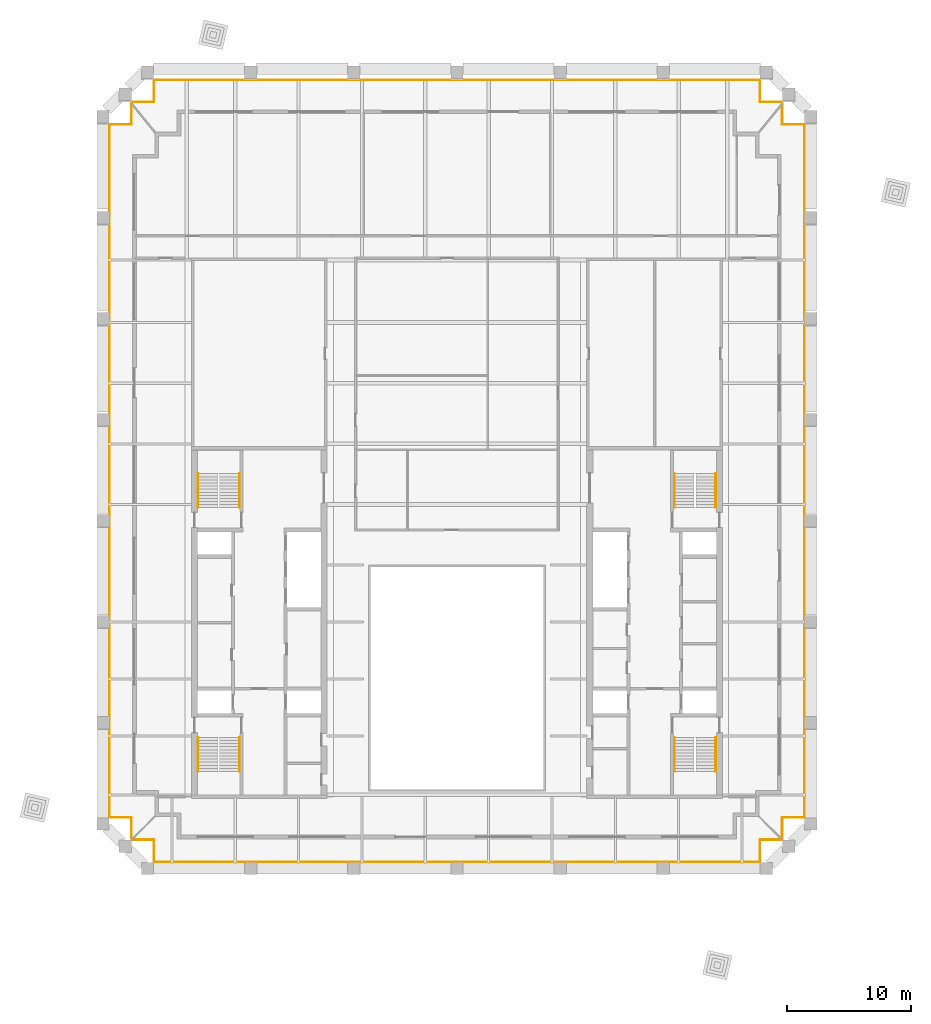
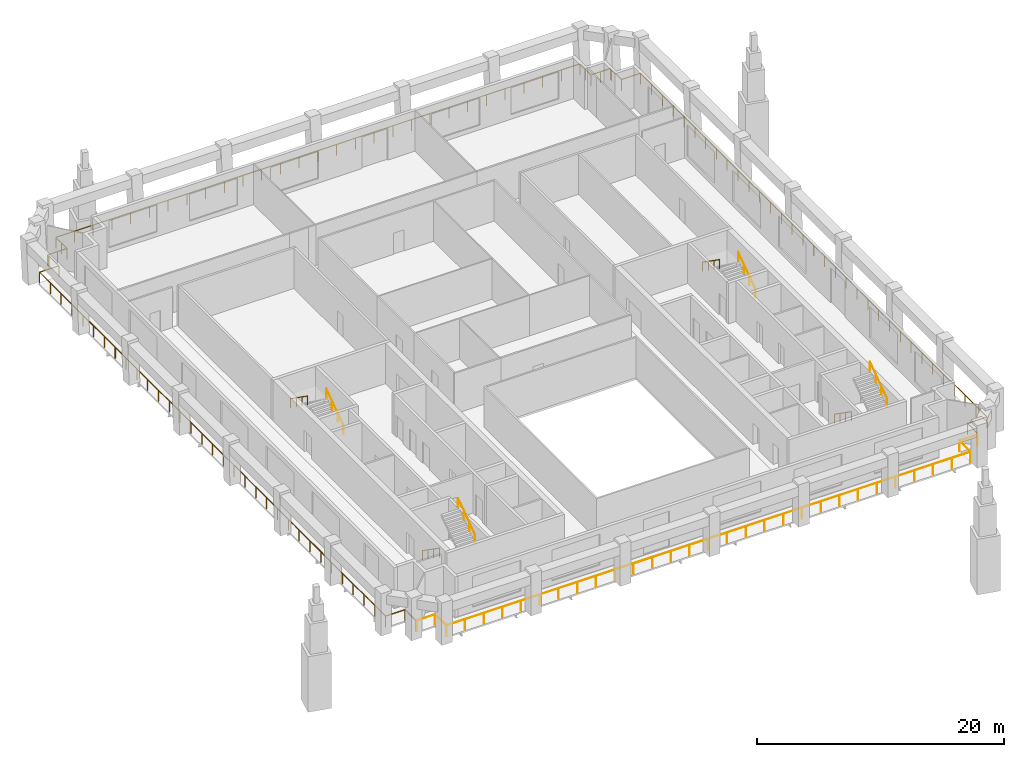
# One storey, part 8 of 8: 12 railings.
"""IFC4 building model written with IfcOpenShell, lengths in metres."""

from ifc_helpers import new_model, si_unit, direction, frame, origin, origin_2d, place, context, subcontext, project, spatial, circle, extrude, material, type_object, element, save


model = new_model("IFC4")

# Units and contexts
model_context = context("Model", 3, precision=1e-05, world=origin(), true_north=direction((0.0, 1.0)))
body_context = subcontext(model_context, "Body", "Model", "MODEL_VIEW")
ifc_project = project(units=[si_unit("LENGTHUNIT", "METRE"), si_unit("AREAUNIT", "SQUARE_METRE"), si_unit("VOLUMEUNIT", "CUBIC_METRE"), si_unit("PLANEANGLEUNIT", "RADIAN"), si_unit("MASSUNIT", "GRAM", prefix="KILO")], contexts=[model_context])

# Site, building, storey
site_placement = place(None, origin())
site = spatial("IfcSite", under=ifc_project, at=site_placement, CompositionType="ELEMENT")
building_placement = place(site_placement, origin())
building = spatial("IfcBuilding", under=site, at=building_placement, Name="Ogive Exchange Tower", CompositionType="ELEMENT")
storey_placement = place(building_placement, frame((0.0, 0.0, 309.0)))
storey = spatial("IfcBuildingStorey", under=building, at=storey_placement, Name="L67", CompositionType="ELEMENT", Elevation=309.0)

# Railings
ifc_material_1 = material(Name="Stainless steel 316", Category="steel")
railing_type_1 = type_object("IfcRailingType", Name="Guard 1100 stainless steel and glass", PredefinedType="GUARDRAIL", material=ifc_material_1)
railing_1_placement = place(storey_placement, frame((26.238037109375, -6.080078125, -0.050048828125)))
element("IfcRailing", 1, at=railing_1_placement, inside=storey, type_object=railing_type_1, Name="Loggia guard 1", PredefinedType="GUARDRAIL", context=body_context, shape_type="SweptSolid", body=[
    extrude(circle(Radius=0.02392578125, at=origin_2d()), frame((0.0, 0.0, 1.076171875), z_axis=(-1.0, 0.0, 0.0), x_axis=(0.0, -1.0, 0.0)), (0.0, 0.0, 1.0), 1.7080078125),
    extrude(circle(Radius=0.02392578125, at=origin_2d()), frame((-1.7080078125, 0.0, 1.076171875), z_axis=(0.0, -1.0, 0.0), x_axis=(1.0, 0.0, 0.0)), (0.0, 0.0, 1.0), 1.7998046875),
    extrude(circle(Radius=0.02392578125, at=origin_2d()), frame((-1.7080078125, -1.7998046875, 1.076171875), z_axis=(-1.0, 0.0, 0.0), x_axis=(0.0, -1.0, 0.0)), (0.0, 0.0, 1.0), 49.06005859375),
    extrude(circle(Radius=0.02392578125, at=origin_2d()), frame((-50.76806640625, -1.7998046875, 1.076171875), z_axis=(0.0, 1.0, 0.0), x_axis=(-1.0, 0.0, 0.0)), (0.0, 0.0, 1.0), 1.7998046875),
    extrude(circle(Radius=0.02392578125, at=origin_2d()), frame((-50.76806640625, 0.0, 1.076171875), z_axis=(-1.0, 0.0, 0.0), x_axis=(0.0, -1.0, 0.0)), (0.0, 0.0, 1.0), 1.7080078125),
    extrude(circle(Radius=0.02099609375, at=origin_2d()), origin(), (0.0, 0.0, 1.0), 1.052001953125),
    extrude(circle(Radius=0.02099609375, at=origin_2d()), frame((-1.7080078125, 0.0, 0.0)), (0.0, 0.0, 1.0), 1.052001953125),
    extrude(circle(Radius=0.02099609375, at=origin_2d()), frame((-1.7080078125, -1.7998046875, 0.0)), (0.0, 0.0, 1.0), 1.052001953125),
    extrude(circle(Radius=0.02099609375, at=origin_2d()), frame((-3.460205078125, -1.7998046875, 0.0)), (0.0, 0.0, 1.0), 1.052001953125),
    extrude(circle(Radius=0.02099609375, at=origin_2d()), frame((-5.21240234375, -1.7998046875, 0.0)), (0.0, 0.0, 1.0), 1.052001953125),
    extrude(circle(Radius=0.02099609375, at=origin_2d()), frame((-6.96435546875, -1.7998046875, 0.0)), (0.0, 0.0, 1.0), 1.052001953125),
    extrude(circle(Radius=0.02099609375, at=origin_2d()), frame((-8.716552734375, -1.7998046875, 0.0)), (0.0, 0.0, 1.0), 1.052001953125),
    extrude(circle(Radius=0.02099609375, at=origin_2d()), frame((-10.46875, -1.7998046875, 0.0)), (0.0, 0.0, 1.0), 1.052001953125),
    extrude(circle(Radius=0.02099609375, at=origin_2d()), frame((-12.220947265625, -1.7998046875, 0.0)), (0.0, 0.0, 1.0), 1.052001953125),
    extrude(circle(Radius=0.02099609375, at=origin_2d()), frame((-13.97314453125, -1.7998046875, 0.0)), (0.0, 0.0, 1.0), 1.052001953125),
    extrude(circle(Radius=0.02099609375, at=origin_2d()), frame((-15.72509765625, -1.7998046875, 0.0)), (0.0, 0.0, 1.0), 1.052001953125),
    extrude(circle(Radius=0.02099609375, at=origin_2d()), frame((-17.477294921875, -1.7998046875, 0.0)), (0.0, 0.0, 1.0), 1.052001953125),
    extrude(circle(Radius=0.02099609375, at=origin_2d()), frame((-19.2294921875, -1.7998046875, 0.0)), (0.0, 0.0, 1.0), 1.052001953125),
    extrude(circle(Radius=0.02099609375, at=origin_2d()), frame((-20.981689453125, -1.7998046875, 0.0)), (0.0, 0.0, 1.0), 1.052001953125),
    extrude(circle(Radius=0.02099609375, at=origin_2d()), frame((-22.733642578125, -1.7998046875, 0.0)), (0.0, 0.0, 1.0), 1.052001953125),
    extrude(circle(Radius=0.02099609375, at=origin_2d()), frame((-24.48583984375, -1.7998046875, 0.0)), (0.0, 0.0, 1.0), 1.052001953125),
    extrude(circle(Radius=0.02099609375, at=origin_2d()), frame((-26.238037109375, -1.7998046875, 0.0)), (0.0, 0.0, 1.0), 1.052001953125),
    extrude(circle(Radius=0.02099609375, at=origin_2d()), frame((-27.990234375, -1.7998046875, 0.0)), (0.0, 0.0, 1.0), 1.052001953125),
    extrude(circle(Radius=0.02099609375, at=origin_2d()), frame((-29.742431640625, -1.7998046875, 0.0)), (0.0, 0.0, 1.0), 1.052001953125),
    extrude(circle(Radius=0.02099609375, at=origin_2d()), frame((-31.494384765625, -1.7998046875, 0.0)), (0.0, 0.0, 1.0), 1.052001953125),
    extrude(circle(Radius=0.02099609375, at=origin_2d()), frame((-33.24658203125, -1.7998046875, 0.0)), (0.0, 0.0, 1.0), 1.052001953125),
    extrude(circle(Radius=0.02099609375, at=origin_2d()), frame((-34.998779296875, -1.7998046875, 0.0)), (0.0, 0.0, 1.0), 1.052001953125),
    extrude(circle(Radius=0.02099609375, at=origin_2d()), frame((-36.7509765625, -1.7998046875, 0.0)), (0.0, 0.0, 1.0), 1.052001953125),
    extrude(circle(Radius=0.02099609375, at=origin_2d()), frame((-38.5029296875, -1.7998046875, 0.0)), (0.0, 0.0, 1.0), 1.052001953125),
    extrude(circle(Radius=0.02099609375, at=origin_2d()), frame((-40.255126953125, -1.7998046875, 0.0)), (0.0, 0.0, 1.0), 1.052001953125),
    extrude(circle(Radius=0.02099609375, at=origin_2d()), frame((-42.00732421875, -1.7998046875, 0.0)), (0.0, 0.0, 1.0), 1.052001953125),
    extrude(circle(Radius=0.02099609375, at=origin_2d()), frame((-43.759521484375, -1.7998046875, 0.0)), (0.0, 0.0, 1.0), 1.052001953125),
    extrude(circle(Radius=0.02099609375, at=origin_2d()), frame((-45.51171875, -1.7998046875, 0.0)), (0.0, 0.0, 1.0), 1.052001953125),
    extrude(circle(Radius=0.02099609375, at=origin_2d()), frame((-47.263671875, -1.7998046875, 0.0)), (0.0, 0.0, 1.0), 1.052001953125),
    extrude(circle(Radius=0.02099609375, at=origin_2d()), frame((-49.015869140625, -1.7998046875, 0.0)), (0.0, 0.0, 1.0), 1.052001953125),
    extrude(circle(Radius=0.02099609375, at=origin_2d()), frame((-50.76806640625, -1.7998046875, 0.0)), (0.0, 0.0, 1.0), 1.052001953125),
    extrude(circle(Radius=0.02099609375, at=origin_2d()), frame((-50.76806640625, 0.0, 0.0)), (0.0, 0.0, 1.0), 1.052001953125),
    extrude(circle(Radius=0.02099609375, at=origin_2d()), frame((-52.47607421875, 0.0, 0.0)), (0.0, 0.0, 1.0), 1.052001953125),
])
railing_2_placement = place(storey_placement, frame((-26.330078125, -5.988037109375, -0.050048828125)))
element("IfcRailing", 2, at=railing_2_placement, inside=storey, type_object=railing_type_1, Name="Loggia guard 2", PredefinedType="GUARDRAIL", context=body_context, shape_type="SweptSolid", body=[
    extrude(circle(Radius=0.02392578125, at=origin_2d()), frame((0.0, 0.0, 1.076171875), z_axis=(0.0, 1.0, 0.0), x_axis=(-1.0, 0.0, 0.0)), (0.0, 0.0, 1.0), 1.7080078125),
    extrude(circle(Radius=0.02392578125, at=origin_2d()), frame((0.0, 1.7080078125, 1.076171875), z_axis=(-1.0, 0.0, 0.0), x_axis=(0.0, -1.0, 0.0)), (0.0, 0.0, 1.0), 1.7998046875),
    extrude(circle(Radius=0.02392578125, at=origin_2d()), frame((-1.7998046875, 1.7080078125, 1.076171875), z_axis=(0.0, 1.0, 0.0), x_axis=(-1.0, 0.0, 0.0)), (0.0, 0.0, 1.0), 56.10546875),
    extrude(circle(Radius=0.02392578125, at=origin_2d()), frame((-1.7998046875, 57.8134765625, 1.076171875), z_axis=(1.0, 0.0, 0.0), x_axis=(0.0, 1.0, 0.0)), (0.0, 0.0, 1.0), 1.7998046875),
    extrude(circle(Radius=0.02392578125, at=origin_2d()), frame((0.0, 57.8134765625, 1.076171875), z_axis=(0.0, 1.0, 0.0), x_axis=(-1.0, 0.0, 0.0)), (0.0, 0.0, 1.0), 1.578857421875),
    extrude(circle(Radius=0.02099609375, at=origin_2d()), origin(), (0.0, 0.0, 1.0), 1.052001953125),
    extrude(circle(Radius=0.02099609375, at=origin_2d()), frame((0.0, 1.7080078125, 0.0)), (0.0, 0.0, 1.0), 1.052001953125),
    extrude(circle(Radius=0.02099609375, at=origin_2d()), frame((-1.7998046875, 1.7080078125, 0.0)), (0.0, 0.0, 1.0), 1.052001953125),
    extrude(circle(Radius=0.02099609375, at=origin_2d()), frame((-1.7998046875, 3.46142578125, 0.0)), (0.0, 0.0, 1.0), 1.052001953125),
    extrude(circle(Radius=0.02099609375, at=origin_2d()), frame((-1.7998046875, 5.214599609375, 0.0)), (0.0, 0.0, 1.0), 1.052001953125),
    extrude(circle(Radius=0.02099609375, at=origin_2d()), frame((-1.7998046875, 6.9677734375, 0.0)), (0.0, 0.0, 1.0), 1.052001953125),
    extrude(circle(Radius=0.02099609375, at=origin_2d()), frame((-1.7998046875, 8.72119140625, 0.0)), (0.0, 0.0, 1.0), 1.052001953125),
    extrude(circle(Radius=0.02099609375, at=origin_2d()), frame((-1.7998046875, 10.474609375, 0.0)), (0.0, 0.0, 1.0), 1.052001953125),
    extrude(circle(Radius=0.02099609375, at=origin_2d()), frame((-1.7998046875, 12.227783203125, 0.0)), (0.0, 0.0, 1.0), 1.052001953125),
    extrude(circle(Radius=0.02099609375, at=origin_2d()), frame((-1.7998046875, 13.98095703125, 0.0)), (0.0, 0.0, 1.0), 1.052001953125),
    extrude(circle(Radius=0.02099609375, at=origin_2d()), frame((-1.7998046875, 15.734375, 0.0)), (0.0, 0.0, 1.0), 1.052001953125),
    extrude(circle(Radius=0.02099609375, at=origin_2d()), frame((-1.7998046875, 17.48779296875, 0.0)), (0.0, 0.0, 1.0), 1.052001953125),
    extrude(circle(Radius=0.02099609375, at=origin_2d()), frame((-1.7998046875, 19.240966796875, 0.0)), (0.0, 0.0, 1.0), 1.052001953125),
    extrude(circle(Radius=0.02099609375, at=origin_2d()), frame((-1.7998046875, 20.994140625, 0.0)), (0.0, 0.0, 1.0), 1.052001953125),
    extrude(circle(Radius=0.02099609375, at=origin_2d()), frame((-1.7998046875, 22.74755859375, 0.0)), (0.0, 0.0, 1.0), 1.052001953125),
    extrude(circle(Radius=0.02099609375, at=origin_2d()), frame((-1.7998046875, 24.5009765625, 0.0)), (0.0, 0.0, 1.0), 1.052001953125),
    extrude(circle(Radius=0.02099609375, at=origin_2d()), frame((-1.7998046875, 26.254150390625, 0.0)), (0.0, 0.0, 1.0), 1.052001953125),
    extrude(circle(Radius=0.02099609375, at=origin_2d()), frame((-1.7998046875, 28.00732421875, 0.0)), (0.0, 0.0, 1.0), 1.052001953125),
    extrude(circle(Radius=0.02099609375, at=origin_2d()), frame((-1.7998046875, 29.7607421875, 0.0)), (0.0, 0.0, 1.0), 1.052001953125),
    extrude(circle(Radius=0.02099609375, at=origin_2d()), frame((-1.7998046875, 31.51416015625, 0.0)), (0.0, 0.0, 1.0), 1.052001953125),
    extrude(circle(Radius=0.02099609375, at=origin_2d()), frame((-1.7998046875, 33.267333984375, 0.0)), (0.0, 0.0, 1.0), 1.052001953125),
    extrude(circle(Radius=0.02099609375, at=origin_2d()), frame((-1.7998046875, 35.0205078125, 0.0)), (0.0, 0.0, 1.0), 1.052001953125),
    extrude(circle(Radius=0.02099609375, at=origin_2d()), frame((-1.7998046875, 36.77392578125, 0.0)), (0.0, 0.0, 1.0), 1.052001953125),
    extrude(circle(Radius=0.02099609375, at=origin_2d()), frame((-1.7998046875, 38.52734375, 0.0)), (0.0, 0.0, 1.0), 1.052001953125),
    extrude(circle(Radius=0.02099609375, at=origin_2d()), frame((-1.7998046875, 40.280517578125, 0.0)), (0.0, 0.0, 1.0), 1.052001953125),
    extrude(circle(Radius=0.02099609375, at=origin_2d()), frame((-1.7998046875, 42.03369140625, 0.0)), (0.0, 0.0, 1.0), 1.052001953125),
    extrude(circle(Radius=0.02099609375, at=origin_2d()), frame((-1.7998046875, 43.787109375, 0.0)), (0.0, 0.0, 1.0), 1.052001953125),
    extrude(circle(Radius=0.02099609375, at=origin_2d()), frame((-1.7998046875, 45.54052734375, 0.0)), (0.0, 0.0, 1.0), 1.052001953125),
    extrude(circle(Radius=0.02099609375, at=origin_2d()), frame((-1.7998046875, 47.293701171875, 0.0)), (0.0, 0.0, 1.0), 1.052001953125),
    extrude(circle(Radius=0.02099609375, at=origin_2d()), frame((-1.7998046875, 49.046875, 0.0)), (0.0, 0.0, 1.0), 1.052001953125),
    extrude(circle(Radius=0.02099609375, at=origin_2d()), frame((-1.7998046875, 50.80029296875, 0.0)), (0.0, 0.0, 1.0), 1.052001953125),
    extrude(circle(Radius=0.02099609375, at=origin_2d()), frame((-1.7998046875, 52.5537109375, 0.0)), (0.0, 0.0, 1.0), 1.052001953125),
    extrude(circle(Radius=0.02099609375, at=origin_2d()), frame((-1.7998046875, 54.306884765625, 0.0)), (0.0, 0.0, 1.0), 1.052001953125),
    extrude(circle(Radius=0.02099609375, at=origin_2d()), frame((-1.7998046875, 56.06005859375, 0.0)), (0.0, 0.0, 1.0), 1.052001953125),
    extrude(circle(Radius=0.02099609375, at=origin_2d()), frame((-1.7998046875, 57.8134765625, 0.0)), (0.0, 0.0, 1.0), 1.052001953125),
    extrude(circle(Radius=0.02099609375, at=origin_2d()), frame((0.0, 57.8134765625, 0.0)), (0.0, 0.0, 1.0), 1.052001953125),
    extrude(circle(Radius=0.02099609375, at=origin_2d()), frame((0.0, 59.392333984375, 0.0)), (0.0, 0.0, 1.0), 1.052001953125),
])
railing_3_placement = place(storey_placement, frame((-26.330078125, 53.610107421875, -0.050048828125)))
element("IfcRailing", 3, at=railing_3_placement, inside=storey, type_object=railing_type_1, Name="Loggia guard 3", PredefinedType="GUARDRAIL", context=body_context, shape_type="SweptSolid", body=[
    extrude(circle(Radius=0.02392578125, at=origin_2d()), frame((0.0, 0.0, 1.076171875), z_axis=(0.0, 1.0, 0.0), x_axis=(-1.0, 0.0, 0.0)), (0.0, 0.0, 1.0), 0.015380859375),
    extrude(circle(Radius=0.02392578125, at=origin_2d()), frame((0.0, 0.015380859375, 1.076171875), z_axis=(1.0, 0.0, 0.0), x_axis=(0.0, 1.0, 0.0)), (0.0, 0.0, 1.0), 1.800048828125),
    extrude(circle(Radius=0.02392578125, at=origin_2d()), frame((1.800048828125, 0.015380859375, 1.076171875), z_axis=(0.0, 1.0, 0.0), x_axis=(-1.0, 0.0, 0.0)), (0.0, 0.0, 1.0), 1.800048828125),
    extrude(circle(Radius=0.02392578125, at=origin_2d()), frame((1.800048828125, 1.8154296875, 1.076171875), z_axis=(1.0, 0.0, 0.0), x_axis=(0.0, 1.0, 0.0)), (0.0, 0.0, 1.0), 49.06005859375),
    extrude(circle(Radius=0.02392578125, at=origin_2d()), frame((50.860107421875, 1.8154296875, 1.076171875), z_axis=(0.0, -1.0, 0.0), x_axis=(1.0, 0.0, 0.0)), (0.0, 0.0, 1.0), 1.800048828125),
    extrude(circle(Radius=0.02392578125, at=origin_2d()), frame((50.860107421875, 0.015380859375, 1.076171875), z_axis=(1.0, 0.0, 0.0), x_axis=(0.0, 1.0, 0.0)), (0.0, 0.0, 1.0), 1.800048828125),
    extrude(circle(Radius=0.02392578125, at=origin_2d()), frame((52.66015625, 0.015380859375, 1.076171875), z_axis=(0.0, -1.0, 0.0), x_axis=(1.0, 0.0, 0.0)), (0.0, 0.0, 1.0), 0.015380859375),
    extrude(circle(Radius=0.02099609375, at=origin_2d()), origin(), (0.0, 0.0, 1.0), 1.052001953125),
    extrude(circle(Radius=0.02099609375, at=origin_2d()), frame((0.0, 0.015380859375, 0.0)), (0.0, 0.0, 1.0), 1.052001953125),
    extrude(circle(Radius=0.02099609375, at=origin_2d()), frame((0.89990234375, 0.015380859375, 0.0)), (0.0, 0.0, 1.0), 1.052001953125),
    extrude(circle(Radius=0.02099609375, at=origin_2d()), frame((1.800048828125, 0.015380859375, 0.0)), (0.0, 0.0, 1.0), 1.052001953125),
    extrude(circle(Radius=0.02099609375, at=origin_2d()), frame((1.800048828125, 0.91552734375, 0.0)), (0.0, 0.0, 1.0), 1.052001953125),
    extrude(circle(Radius=0.02099609375, at=origin_2d()), frame((1.800048828125, 1.8154296875, 0.0)), (0.0, 0.0, 1.0), 1.052001953125),
    extrude(circle(Radius=0.02099609375, at=origin_2d()), frame((3.55224609375, 1.8154296875, 0.0)), (0.0, 0.0, 1.0), 1.052001953125),
    extrude(circle(Radius=0.02099609375, at=origin_2d()), frame((5.304443359375, 1.8154296875, 0.0)), (0.0, 0.0, 1.0), 1.052001953125),
    extrude(circle(Radius=0.02099609375, at=origin_2d()), frame((7.056396484375, 1.8154296875, 0.0)), (0.0, 0.0, 1.0), 1.052001953125),
    extrude(circle(Radius=0.02099609375, at=origin_2d()), frame((8.80859375, 1.8154296875, 0.0)), (0.0, 0.0, 1.0), 1.052001953125),
    extrude(circle(Radius=0.02099609375, at=origin_2d()), frame((10.560791015625, 1.8154296875, 0.0)), (0.0, 0.0, 1.0), 1.052001953125),
    extrude(circle(Radius=0.02099609375, at=origin_2d()), frame((12.31298828125, 1.8154296875, 0.0)), (0.0, 0.0, 1.0), 1.052001953125),
    extrude(circle(Radius=0.02099609375, at=origin_2d()), frame((14.06494140625, 1.8154296875, 0.0)), (0.0, 0.0, 1.0), 1.052001953125),
    extrude(circle(Radius=0.02099609375, at=origin_2d()), frame((15.817138671875, 1.8154296875, 0.0)), (0.0, 0.0, 1.0), 1.052001953125),
    extrude(circle(Radius=0.02099609375, at=origin_2d()), frame((17.5693359375, 1.8154296875, 0.0)), (0.0, 0.0, 1.0), 1.052001953125),
    extrude(circle(Radius=0.02099609375, at=origin_2d()), frame((19.321533203125, 1.8154296875, 0.0)), (0.0, 0.0, 1.0), 1.052001953125),
    extrude(circle(Radius=0.02099609375, at=origin_2d()), frame((21.07373046875, 1.8154296875, 0.0)), (0.0, 0.0, 1.0), 1.052001953125),
    extrude(circle(Radius=0.02099609375, at=origin_2d()), frame((22.82568359375, 1.8154296875, 0.0)), (0.0, 0.0, 1.0), 1.052001953125),
    extrude(circle(Radius=0.02099609375, at=origin_2d()), frame((24.577880859375, 1.8154296875, 0.0)), (0.0, 0.0, 1.0), 1.052001953125),
    extrude(circle(Radius=0.02099609375, at=origin_2d()), frame((26.330078125, 1.8154296875, 0.0)), (0.0, 0.0, 1.0), 1.052001953125),
    extrude(circle(Radius=0.02099609375, at=origin_2d()), frame((28.082275390625, 1.8154296875, 0.0)), (0.0, 0.0, 1.0), 1.052001953125),
    extrude(circle(Radius=0.02099609375, at=origin_2d()), frame((29.83447265625, 1.8154296875, 0.0)), (0.0, 0.0, 1.0), 1.052001953125),
    extrude(circle(Radius=0.02099609375, at=origin_2d()), frame((31.58642578125, 1.8154296875, 0.0)), (0.0, 0.0, 1.0), 1.052001953125),
    extrude(circle(Radius=0.02099609375, at=origin_2d()), frame((33.338623046875, 1.8154296875, 0.0)), (0.0, 0.0, 1.0), 1.052001953125),
    extrude(circle(Radius=0.02099609375, at=origin_2d()), frame((35.0908203125, 1.8154296875, 0.0)), (0.0, 0.0, 1.0), 1.052001953125),
    extrude(circle(Radius=0.02099609375, at=origin_2d()), frame((36.843017578125, 1.8154296875, 0.0)), (0.0, 0.0, 1.0), 1.052001953125),
    extrude(circle(Radius=0.02099609375, at=origin_2d()), frame((38.59521484375, 1.8154296875, 0.0)), (0.0, 0.0, 1.0), 1.052001953125),
    extrude(circle(Radius=0.02099609375, at=origin_2d()), frame((40.34716796875, 1.8154296875, 0.0)), (0.0, 0.0, 1.0), 1.052001953125),
    extrude(circle(Radius=0.02099609375, at=origin_2d()), frame((42.099365234375, 1.8154296875, 0.0)), (0.0, 0.0, 1.0), 1.052001953125),
    extrude(circle(Radius=0.02099609375, at=origin_2d()), frame((43.8515625, 1.8154296875, 0.0)), (0.0, 0.0, 1.0), 1.052001953125),
    extrude(circle(Radius=0.02099609375, at=origin_2d()), frame((45.603759765625, 1.8154296875, 0.0)), (0.0, 0.0, 1.0), 1.052001953125),
    extrude(circle(Radius=0.02099609375, at=origin_2d()), frame((47.355712890625, 1.8154296875, 0.0)), (0.0, 0.0, 1.0), 1.052001953125),
    extrude(circle(Radius=0.02099609375, at=origin_2d()), frame((49.10791015625, 1.8154296875, 0.0)), (0.0, 0.0, 1.0), 1.052001953125),
    extrude(circle(Radius=0.02099609375, at=origin_2d()), frame((50.860107421875, 1.8154296875, 0.0)), (0.0, 0.0, 1.0), 1.052001953125),
    extrude(circle(Radius=0.02099609375, at=origin_2d()), frame((50.860107421875, 0.91552734375, 0.0)), (0.0, 0.0, 1.0), 1.052001953125),
    extrude(circle(Radius=0.02099609375, at=origin_2d()), frame((50.860107421875, 0.015380859375, 0.0)), (0.0, 0.0, 1.0), 1.052001953125),
    extrude(circle(Radius=0.02099609375, at=origin_2d()), frame((51.76025390625, 0.015380859375, 0.0)), (0.0, 0.0, 1.0), 1.052001953125),
    extrude(circle(Radius=0.02099609375, at=origin_2d()), frame((52.66015625, 0.015380859375, 0.0)), (0.0, 0.0, 1.0), 1.052001953125),
    extrude(circle(Radius=0.02099609375, at=origin_2d()), frame((52.66015625, 0.0, 0.0)), (0.0, 0.0, 1.0), 1.052001953125),
])
railing_4_placement = place(storey_placement, frame((26.330078125, 53.404296875, -0.050048828125)))
element("IfcRailing", 4, at=railing_4_placement, inside=storey, type_object=railing_type_1, Name="Loggia guard 4", PredefinedType="GUARDRAIL", context=body_context, shape_type="SweptSolid", body=[
    extrude(circle(Radius=0.02392578125, at=origin_2d()), frame((0.0, 0.0, 1.076171875), z_axis=(0.0, -1.0, 0.0), x_axis=(1.0, 0.0, 0.0)), (0.0, 0.0, 1.0), 1.578857421875),
    extrude(circle(Radius=0.02392578125, at=origin_2d()), frame((0.0, -1.578857421875, 1.076171875), z_axis=(1.0, 0.0, 0.0), x_axis=(0.0, 1.0, 0.0)), (0.0, 0.0, 1.0), 1.7998046875),
    extrude(circle(Radius=0.02392578125, at=origin_2d()), frame((1.7998046875, -1.578857421875, 1.076171875), z_axis=(0.0, -1.0, 0.0), x_axis=(1.0, 0.0, 0.0)), (0.0, 0.0, 1.0), 56.10546875),
    extrude(circle(Radius=0.02392578125, at=origin_2d()), frame((1.7998046875, -57.684326171875, 1.076171875), z_axis=(-1.0, 0.0, 0.0), x_axis=(0.0, -1.0, 0.0)), (0.0, 0.0, 1.0), 1.7998046875),
    extrude(circle(Radius=0.02392578125, at=origin_2d()), frame((0.0, -57.684326171875, 1.076171875), z_axis=(0.0, -1.0, 0.0), x_axis=(1.0, 0.0, 0.0)), (0.0, 0.0, 1.0), 1.7080078125),
    extrude(circle(Radius=0.02099609375, at=origin_2d()), origin(), (0.0, 0.0, 1.0), 1.052001953125),
    extrude(circle(Radius=0.02099609375, at=origin_2d()), frame((0.0, -1.578857421875, 0.0)), (0.0, 0.0, 1.0), 1.052001953125),
    extrude(circle(Radius=0.02099609375, at=origin_2d()), frame((1.7998046875, -1.578857421875, 0.0)), (0.0, 0.0, 1.0), 1.052001953125),
    extrude(circle(Radius=0.02099609375, at=origin_2d()), frame((1.7998046875, -3.33203125, 0.0)), (0.0, 0.0, 1.0), 1.052001953125),
    extrude(circle(Radius=0.02099609375, at=origin_2d()), frame((1.7998046875, -5.08544921875, 0.0)), (0.0, 0.0, 1.0), 1.052001953125),
    extrude(circle(Radius=0.02099609375, at=origin_2d()), frame((1.7998046875, -6.8388671875, 0.0)), (0.0, 0.0, 1.0), 1.052001953125),
    extrude(circle(Radius=0.02099609375, at=origin_2d()), frame((1.7998046875, -8.592041015625, 0.0)), (0.0, 0.0, 1.0), 1.052001953125),
    extrude(circle(Radius=0.02099609375, at=origin_2d()), frame((1.7998046875, -10.34521484375, 0.0)), (0.0, 0.0, 1.0), 1.052001953125),
    extrude(circle(Radius=0.02099609375, at=origin_2d()), frame((1.7998046875, -12.0986328125, 0.0)), (0.0, 0.0, 1.0), 1.052001953125),
    extrude(circle(Radius=0.02099609375, at=origin_2d()), frame((1.7998046875, -13.85205078125, 0.0)), (0.0, 0.0, 1.0), 1.052001953125),
    extrude(circle(Radius=0.02099609375, at=origin_2d()), frame((1.7998046875, -15.605224609375, 0.0)), (0.0, 0.0, 1.0), 1.052001953125),
    extrude(circle(Radius=0.02099609375, at=origin_2d()), frame((1.7998046875, -17.3583984375, 0.0)), (0.0, 0.0, 1.0), 1.052001953125),
    extrude(circle(Radius=0.02099609375, at=origin_2d()), frame((1.7998046875, -19.11181640625, 0.0)), (0.0, 0.0, 1.0), 1.052001953125),
    extrude(circle(Radius=0.02099609375, at=origin_2d()), frame((1.7998046875, -20.865234375, 0.0)), (0.0, 0.0, 1.0), 1.052001953125),
    extrude(circle(Radius=0.02099609375, at=origin_2d()), frame((1.7998046875, -22.618408203125, 0.0)), (0.0, 0.0, 1.0), 1.052001953125),
    extrude(circle(Radius=0.02099609375, at=origin_2d()), frame((1.7998046875, -24.37158203125, 0.0)), (0.0, 0.0, 1.0), 1.052001953125),
    extrude(circle(Radius=0.02099609375, at=origin_2d()), frame((1.7998046875, -26.125, 0.0)), (0.0, 0.0, 1.0), 1.052001953125),
    extrude(circle(Radius=0.02099609375, at=origin_2d()), frame((1.7998046875, -27.87841796875, 0.0)), (0.0, 0.0, 1.0), 1.052001953125),
    extrude(circle(Radius=0.02099609375, at=origin_2d()), frame((1.7998046875, -29.631591796875, 0.0)), (0.0, 0.0, 1.0), 1.052001953125),
    extrude(circle(Radius=0.02099609375, at=origin_2d()), frame((1.7998046875, -31.384765625, 0.0)), (0.0, 0.0, 1.0), 1.052001953125),
    extrude(circle(Radius=0.02099609375, at=origin_2d()), frame((1.7998046875, -33.13818359375, 0.0)), (0.0, 0.0, 1.0), 1.052001953125),
    extrude(circle(Radius=0.02099609375, at=origin_2d()), frame((1.7998046875, -34.8916015625, 0.0)), (0.0, 0.0, 1.0), 1.052001953125),
    extrude(circle(Radius=0.02099609375, at=origin_2d()), frame((1.7998046875, -36.644775390625, 0.0)), (0.0, 0.0, 1.0), 1.052001953125),
    extrude(circle(Radius=0.02099609375, at=origin_2d()), frame((1.7998046875, -38.39794921875, 0.0)), (0.0, 0.0, 1.0), 1.052001953125),
    extrude(circle(Radius=0.02099609375, at=origin_2d()), frame((1.7998046875, -40.1513671875, 0.0)), (0.0, 0.0, 1.0), 1.052001953125),
    extrude(circle(Radius=0.02099609375, at=origin_2d()), frame((1.7998046875, -41.90478515625, 0.0)), (0.0, 0.0, 1.0), 1.052001953125),
    extrude(circle(Radius=0.02099609375, at=origin_2d()), frame((1.7998046875, -43.657958984375, 0.0)), (0.0, 0.0, 1.0), 1.052001953125),
    extrude(circle(Radius=0.02099609375, at=origin_2d()), frame((1.7998046875, -45.4111328125, 0.0)), (0.0, 0.0, 1.0), 1.052001953125),
    extrude(circle(Radius=0.02099609375, at=origin_2d()), frame((1.7998046875, -47.16455078125, 0.0)), (0.0, 0.0, 1.0), 1.052001953125),
    extrude(circle(Radius=0.02099609375, at=origin_2d()), frame((1.7998046875, -48.91796875, 0.0)), (0.0, 0.0, 1.0), 1.052001953125),
    extrude(circle(Radius=0.02099609375, at=origin_2d()), frame((1.7998046875, -50.671142578125, 0.0)), (0.0, 0.0, 1.0), 1.052001953125),
    extrude(circle(Radius=0.02099609375, at=origin_2d()), frame((1.7998046875, -52.42431640625, 0.0)), (0.0, 0.0, 1.0), 1.052001953125),
    extrude(circle(Radius=0.02099609375, at=origin_2d()), frame((1.7998046875, -54.177734375, 0.0)), (0.0, 0.0, 1.0), 1.052001953125),
    extrude(circle(Radius=0.02099609375, at=origin_2d()), frame((1.7998046875, -55.93115234375, 0.0)), (0.0, 0.0, 1.0), 1.052001953125),
    extrude(circle(Radius=0.02099609375, at=origin_2d()), frame((1.7998046875, -57.684326171875, 0.0)), (0.0, 0.0, 1.0), 1.052001953125),
    extrude(circle(Radius=0.02099609375, at=origin_2d()), frame((0.0, -57.684326171875, 0.0)), (0.0, 0.0, 1.0), 1.052001953125),
    extrude(circle(Radius=0.02099609375, at=origin_2d()), frame((0.0, -59.392333984375, 0.0)), (0.0, 0.0, 1.0), 1.052001953125),
])
ifc_material_2 = material(Name="Stainless steel", Category="steel")
railing_type_2 = type_object("IfcRailingType", Name="Stair handrail 900", PredefinedType="HANDRAIL", material=ifc_material_2)
railing_5_placement = place(storey_placement, frame((-20.949951171875, 2.199951171875, 0.175048828125)))
element("IfcRailing", 5, at=railing_5_placement, inside=storey, type_object=railing_type_2, Name="L67 ST1 stair handrail 1", PredefinedType="HANDRAIL", context=body_context, shape_type="SweptSolid", body=[
    extrude(circle(Radius=0.02392578125, at=origin_2d()), frame((0.0, 0.0, 0.8759765625), z_axis=(0.0, -0.819225086817, 0.573472106672), x_axis=(1.0, 0.0, 0.0)), (0.0, 0.0, 1.0), 3.35693359375),
    extrude(circle(Radius=0.02099609375, at=origin_2d()), origin(), (0.0, 0.0, 1.0), 0.851806640625),
    extrude(circle(Radius=0.02099609375, at=origin_2d()), frame((0.0, -0.916748046875, 0.6416015625)), (0.0, 0.0, 1.0), 0.851806640625),
    extrude(circle(Radius=0.02099609375, at=origin_2d()), frame((0.0, -1.833251953125, 1.283447265625)), (0.0, 0.0, 1.0), 0.851806640625),
    extrude(circle(Radius=0.02099609375, at=origin_2d()), frame((0.0, -2.75, 1.925048828125)), (0.0, 0.0, 1.0), 0.851806640625),
])
for number, where, name in (
    (6, (-17.60009765625, -0.550048828125, 2.27490234375), "L67 ST1 stair handrail 2"),
    (7, (-17.60009765625, 20.800048828125, 0.175048828125), "L67 ST2 stair handrail 1"),
):
    element("IfcRailing", number, at=place(storey_placement, frame(where)), inside=storey, type_object=railing_type_2, Name=name, PredefinedType="HANDRAIL", context=body_context, shape_type="SweptSolid", body=[
        extrude(circle(Radius=0.02392578125, at=origin_2d()), frame((0.0, 0.0, 0.8759765625), z_axis=(0.0, 0.819225086817, 0.573472106672), x_axis=(-1.0, 0.0, 0.0)), (0.0, 0.0, 1.0), 3.35693359375),
        extrude(circle(Radius=0.02099609375, at=origin_2d()), origin(), (0.0, 0.0, 1.0), 0.851806640625),
        extrude(circle(Radius=0.02099609375, at=origin_2d()), frame((0.0, 0.916748046875, 0.6416015625)), (0.0, 0.0, 1.0), 0.851806640625),
        extrude(circle(Radius=0.02099609375, at=origin_2d()), frame((0.0, 1.833251953125, 1.283447265625)), (0.0, 0.0, 1.0), 0.851806640625),
        extrude(circle(Radius=0.02099609375, at=origin_2d()), frame((0.0, 2.75, 1.925048828125)), (0.0, 0.0, 1.0), 0.851806640625),
    ])
for number, where, name in (
    (8, (-20.949951171875, 23.550048828125, 2.27490234375), "L67 ST2 stair handrail 2"),
    (9, (17.60009765625, 2.199951171875, 0.175048828125), "L67 ST3 stair handrail 1"),
):
    element("IfcRailing", number, at=place(storey_placement, frame(where)), inside=storey, type_object=railing_type_2, Name=name, PredefinedType="HANDRAIL", context=body_context, shape_type="SweptSolid", body=[
        extrude(circle(Radius=0.02392578125, at=origin_2d()), frame((0.0, 0.0, 0.8759765625), z_axis=(0.0, -0.819225086817, 0.573472106672), x_axis=(1.0, 0.0, 0.0)), (0.0, 0.0, 1.0), 3.35693359375),
        extrude(circle(Radius=0.02099609375, at=origin_2d()), origin(), (0.0, 0.0, 1.0), 0.851806640625),
        extrude(circle(Radius=0.02099609375, at=origin_2d()), frame((0.0, -0.916748046875, 0.6416015625)), (0.0, 0.0, 1.0), 0.851806640625),
        extrude(circle(Radius=0.02099609375, at=origin_2d()), frame((0.0, -1.833251953125, 1.283447265625)), (0.0, 0.0, 1.0), 0.851806640625),
        extrude(circle(Radius=0.02099609375, at=origin_2d()), frame((0.0, -2.75, 1.925048828125)), (0.0, 0.0, 1.0), 0.851806640625),
    ])
for number, where, name in (
    (10, (20.949951171875, -0.550048828125, 2.27490234375), "L67 ST3 stair handrail 2"),
    (11, (20.949951171875, 20.800048828125, 0.175048828125), "L67 ST4 stair handrail 1"),
):
    element("IfcRailing", number, at=place(storey_placement, frame(where)), inside=storey, type_object=railing_type_2, Name=name, PredefinedType="HANDRAIL", context=body_context, shape_type="SweptSolid", body=[
        extrude(circle(Radius=0.02392578125, at=origin_2d()), frame((0.0, 0.0, 0.8759765625), z_axis=(0.0, 0.819225086817, 0.573472106672), x_axis=(-1.0, 0.0, 0.0)), (0.0, 0.0, 1.0), 3.35693359375),
        extrude(circle(Radius=0.02099609375, at=origin_2d()), origin(), (0.0, 0.0, 1.0), 0.851806640625),
        extrude(circle(Radius=0.02099609375, at=origin_2d()), frame((0.0, 0.916748046875, 0.6416015625)), (0.0, 0.0, 1.0), 0.851806640625),
        extrude(circle(Radius=0.02099609375, at=origin_2d()), frame((0.0, 1.833251953125, 1.283447265625)), (0.0, 0.0, 1.0), 0.851806640625),
        extrude(circle(Radius=0.02099609375, at=origin_2d()), frame((0.0, 2.75, 1.925048828125)), (0.0, 0.0, 1.0), 0.851806640625),
    ])
railing_6_placement = place(storey_placement, frame((17.60009765625, 23.550048828125, 2.27490234375)))
element("IfcRailing", 12, at=railing_6_placement, inside=storey, type_object=railing_type_2, Name="L67 ST4 stair handrail 2", PredefinedType="HANDRAIL", context=body_context, shape_type="SweptSolid", body=[
    extrude(circle(Radius=0.02392578125, at=origin_2d()), frame((0.0, 0.0, 0.8759765625), z_axis=(0.0, -0.819225086817, 0.573472106672), x_axis=(1.0, 0.0, 0.0)), (0.0, 0.0, 1.0), 3.35693359375),
    extrude(circle(Radius=0.02099609375, at=origin_2d()), origin(), (0.0, 0.0, 1.0), 0.851806640625),
    extrude(circle(Radius=0.02099609375, at=origin_2d()), frame((0.0, -0.916748046875, 0.6416015625)), (0.0, 0.0, 1.0), 0.851806640625),
    extrude(circle(Radius=0.02099609375, at=origin_2d()), frame((0.0, -1.833251953125, 1.283447265625)), (0.0, 0.0, 1.0), 0.851806640625),
    extrude(circle(Radius=0.02099609375, at=origin_2d()), frame((0.0, -2.75, 1.925048828125)), (0.0, 0.0, 1.0), 0.851806640625),
])

save(model, "model.ifc")
